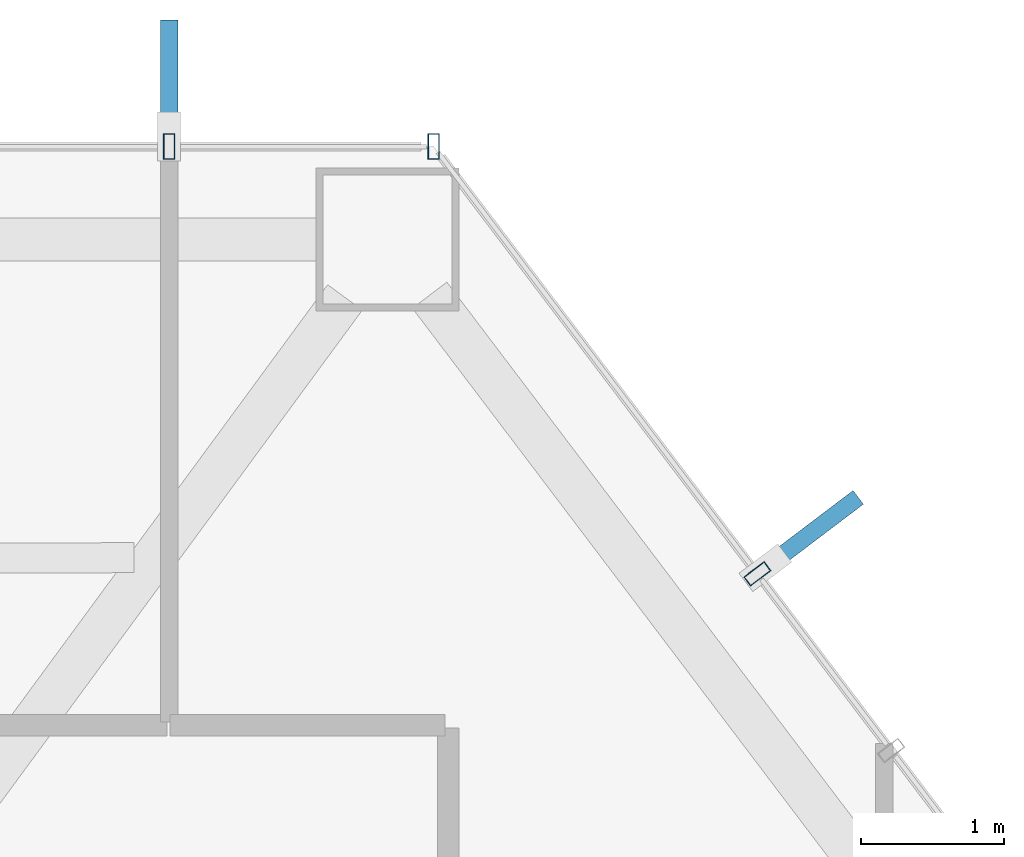
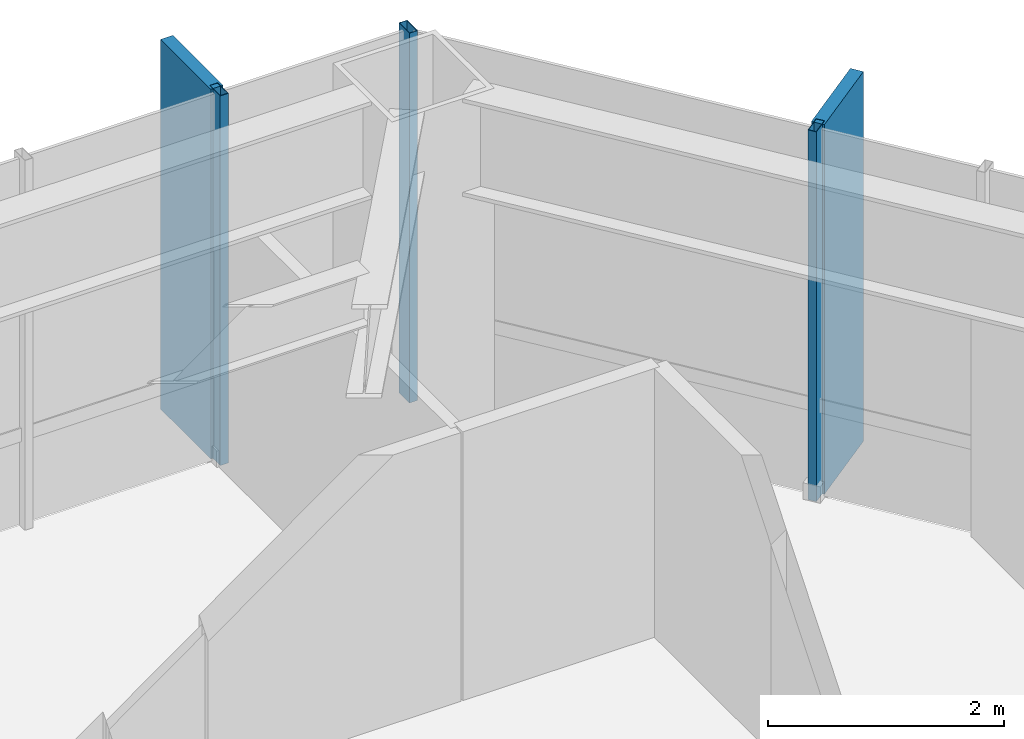
# One storey, part 20 of 25: 5 members, 2 elements without a shape of their own.
"""IFC4 building model written with IfcOpenShell, lengths in metres."""

import ifcopenshell
import ifcopenshell.guid

model = None  # the IFC model being written
_history = None  # IfcOwnerHistory: only IFC2X3 demands one
_inside = {}  # id of a spatial element -> (the spatial element, [elements in it])
_under = {}  # id of a project, library or spatial element -> (it, [spatial elements below it])
_declared = {}  # id of a project -> (the project, [libraries it declares])
_typed = {}  # id of a type object -> (the type object, [elements of that type])
_made_of = {}  # id of a material, layer set ... -> (it, [elements and type objects made of it])


def new_model(schema):
    """Start an empty IFC model of exactly this schema.

    Asked for "IFC4X3", IfcOpenShell would pick the latest addendum, in which some entities
    have other attributes; the version numbers below select the first issue.
    IFC2X3 requires an IfcOwnerHistory on every rooted entity: one is made here for all.
    """
    global model, _history
    if schema == "IFC4X3":
        model = ifcopenshell.file(schema_version=(4, 3, 0, 0))
    else:
        model = ifcopenshell.file(schema=schema)
    _inside.clear()
    _under.clear()
    _declared.clear()
    _typed.clear()
    _made_of.clear()
    _history = None
    if model.schema == "IFC2X3":
        org = make("IfcOrganization", Name="unknown")
        user = make(
            "IfcPersonAndOrganization",
            ThePerson=make("IfcPerson", FamilyName="unknown"),
            TheOrganization=org,
        )
        app = make(
            "IfcApplication",
            ApplicationDeveloper=org,
            Version="unknown",
            ApplicationFullName="unknown",
            ApplicationIdentifier="unknown",
        )
        _history = make(
            "IfcOwnerHistory",
            OwningUser=user,
            OwningApplication=app,
            ChangeAction="ADDED",
            CreationDate=0,
        )
    return model


def make(cls, **values):
    """One entity of the class cls with the attributes given. An attribute that is None is left unset."""
    return model.create_entity(
        cls, **{name: value for name, value in values.items() if value is not None}
    )


def rooted(cls, **values):
    """An entity with a GlobalId (a new one), such as an element, a storey or a relation."""
    return make(cls, GlobalId=ifcopenshell.guid.new(), OwnerHistory=_history, **values)


def si_unit(unit_type, name, prefix=None):
    """IfcSIUnit, for example si_unit("LENGTHUNIT", "METRE", prefix="MILLI")."""
    return make("IfcSIUnit", UnitType=unit_type, Prefix=prefix, Name=name)


def assignment(units):
    """IfcUnitAssignment: the units of a project."""
    return None if units is None else make("IfcUnitAssignment", Units=units)


def point(xyz):
    """IfcCartesianPoint."""
    return None if xyz is None else make("IfcCartesianPoint", Coordinates=xyz)


def direction(xyz):
    """IfcDirection."""
    return None if xyz is None else make("IfcDirection", DirectionRatios=xyz)


def frame(location, z_axis=None, x_axis=None):
    """IfcAxis2Placement3D, a coordinate frame: its origin and axes. An axis left out is left unset."""
    return make(
        "IfcAxis2Placement3D",
        Location=point(location),
        Axis=direction(z_axis),
        RefDirection=direction(x_axis),
    )


def frame_2d(location, x_axis=None):
    """IfcAxis2Placement2D, a coordinate frame in the plane: its origin and x axis."""
    return make(
        "IfcAxis2Placement2D", Location=point(location), RefDirection=direction(x_axis)
    )


def origin():
    """The frame at (0, 0, 0) with its axes left unset."""
    return frame((0.0, 0.0, 0.0))


def origin_2d():
    """The frame at (0, 0) in the plane with its x axis left unset."""
    return frame_2d((0.0, 0.0))


def place(relative_to, where):
    """IfcLocalPlacement: puts the frame where relative to a parent placement (None: the world)."""
    return make(
        "IfcLocalPlacement", PlacementRelTo=relative_to, RelativePlacement=where
    )


def context(
    kind, dimensions, precision=None, world=None, true_north=None, identifier=None
):
    """IfcGeometricRepresentationContext, for example the 3D "Model" context."""
    return make(
        "IfcGeometricRepresentationContext",
        ContextIdentifier=identifier,
        ContextType=kind,
        CoordinateSpaceDimension=dimensions,
        Precision=precision,
        WorldCoordinateSystem=world,
        TrueNorth=true_north,
    )


def subcontext(parent, identifier, kind, view, scale=None):
    """IfcGeometricRepresentationSubContext, for example "Body" below "Model"."""
    return make(
        "IfcGeometricRepresentationSubContext",
        ContextIdentifier=identifier,
        ContextType=kind,
        ParentContext=parent,
        TargetScale=scale,
        TargetView=view,
    )


def project(units=None, contexts=None):
    """IfcProject with its units and contexts."""
    return rooted(
        "IfcProject",
        Name="project",
        RepresentationContexts=contexts,
        UnitsInContext=assignment(units),
    )


def spatial(cls, under=None, at=None, **own):
    """A site, building, storey or space (cls), placed at a placement, below another one or the project."""
    s = rooted(cls, ObjectPlacement=at, **own)
    if under is not None:
        _under.setdefault(under.id(), (under, []))[1].append(s)
    return s


def profile(cls, at=None, kind="AREA", **sizes):
    """A parametric profile (cls). Its sizes go by their IFC names, for example OverallWidth=200.0."""
    return make(cls, ProfileType=kind, Position=at, **sizes)


def rectangle(**sizes):
    """IfcRectangleProfileDef."""
    return profile("IfcRectangleProfileDef", **sizes)


def hollow_rectangle(**sizes):
    """IfcRectangleHollowProfileDef."""
    return profile("IfcRectangleHollowProfileDef", **sizes)


def extrude(swept, where, along, depth):
    """IfcExtrudedAreaSolid: the profile swept, set in the frame where, extruded along a direction by depth."""
    return make(
        "IfcExtrudedAreaSolid",
        SweptArea=swept,
        Position=where,
        ExtrudedDirection=direction(along),
        Depth=depth,
    )


def shape(context_of_items, identifier, shape_type, items):
    """IfcShapeRepresentation: the items that make up one representation, for example the "Body"."""
    return make(
        "IfcShapeRepresentation",
        ContextOfItems=context_of_items,
        RepresentationIdentifier=identifier,
        RepresentationType=shape_type,
        Items=items,
    )


def material(Name=None, Category=None):
    """IfcMaterial."""
    return make("IfcMaterial", Name=Name, Category=Category)


def layer(
    of_material, thickness, ventilated=None, Name=None, Category=None, Priority=None
):
    """IfcMaterialLayer: one layer of a wall or slab, of a material (None: an air gap)."""
    return make(
        "IfcMaterialLayer",
        Material=of_material,
        LayerThickness=thickness,
        IsVentilated=ventilated,
        Name=Name,
        Category=Category,
        Priority=Priority,
    )


def layer_set(layers, Name=None):
    """IfcMaterialLayerSet."""
    return make("IfcMaterialLayerSet", MaterialLayers=layers, LayerSetName=Name)


def material_profile(
    of_material, cross_section, Name=None, Category=None, Priority=None
):
    """IfcMaterialProfile: a cross section and its material."""
    return make(
        "IfcMaterialProfile",
        Name=Name,
        Material=of_material,
        Profile=cross_section,
        Priority=Priority,
        Category=Category,
    )


def profile_set(profiles, Name=None, composite=None):
    """IfcMaterialProfileSet."""
    return make(
        "IfcMaterialProfileSet",
        Name=Name,
        MaterialProfiles=profiles,
        CompositeProfile=composite,
    )


def made_of(thing, what):
    """Note that an element or type object is made of a material, layer set ...; save() writes the relation."""
    if what is not None:
        _made_of.setdefault(what.id(), (what, []))[1].append(thing)
    return thing


def type_object(cls, material=None, **own):
    """A type object (cls), such as IfcWallType, which elements share."""
    return made_of(rooted(cls, **own), material)


def element(
    cls,
    number,
    at=None,
    inside=None,
    cuts=None,
    type_object=None,
    material=None,
    context=None,
    identifier="Body",
    shape_type=None,
    held_by="IfcProductDefinitionShape",
    body=None,
    shapes=None,
    **own,
):
    """One element of the class cls, such as IfcWall. Its Tag is "e" and its number.

    at: its placement. inside: the storey or other place that contains it. cuts: it is an
    opening in that element (IfcRelVoidsElement). A single representation is given by context,
    identifier, shape_type and body (its items); several are given by shapes. held_by: the class
    of the entity that holds the representations. save() writes the other relations.
    """
    e = rooted(cls, Tag="e%d" % number, ObjectPlacement=at, **own)
    if body is not None:
        shapes = [shape(context, identifier, shape_type, body)]
    if shapes is not None:
        e.Representation = make(held_by, Representations=shapes)
    if inside is not None:
        _inside.setdefault(inside.id(), (inside, []))[1].append(e)
    if cuts is not None:
        rooted(
            "IfcRelVoidsElement", RelatingBuildingElement=cuts, RelatedOpeningElement=e
        )
    if type_object is not None:
        _typed.setdefault(type_object.id(), (type_object, []))[1].append(e)
    return made_of(e, material)


def aggregate(whole, parts):
    """IfcRelAggregates: a whole, such as a stair, and the parts it consists of."""
    return rooted("IfcRelAggregates", RelatingObject=whole, RelatedObjects=parts)


def save(model, path):
    """Write the relations noted so far, then the file.

    IfcRelAggregates (storeys below a building ...), IfcRelContainedInSpatialStructure (elements
    in a storey), IfcRelDefinesByType, IfcRelAssociatesMaterial and IfcRelDeclares: one each for
    every whole, place, type object, material and project.
    """
    for whole, parts in _under.values():
        aggregate(whole, parts)
    for where, things in _inside.values():
        rooted(
            "IfcRelContainedInSpatialStructure",
            RelatedElements=things,
            RelatingStructure=where,
        )
    for kind, things in _typed.values():
        rooted("IfcRelDefinesByType", RelatedObjects=things, RelatingType=kind)
    for what, things in _made_of.values():
        rooted("IfcRelAssociatesMaterial", RelatedObjects=things, RelatingMaterial=what)
    for by, libraries in _declared.values():
        rooted("IfcRelDeclares", RelatingContext=by, RelatedDefinitions=libraries)
    model.write(path)


model = new_model("IFC4")

# Units and contexts
model_context = context("Model", 3, precision=1e-05, world=origin(), true_north=direction((0.0, 1.0)))
body_context = subcontext(model_context, "Body", "Model", "MODEL_VIEW")
ifc_project = project(units=[si_unit("LENGTHUNIT", "METRE"), si_unit("AREAUNIT", "SQUARE_METRE"), si_unit("VOLUMEUNIT", "CUBIC_METRE"), si_unit("PLANEANGLEUNIT", "RADIAN"), si_unit("MASSUNIT", "GRAM", prefix="KILO")], contexts=[model_context])

# Site, building, storey
site_placement = place(None, origin())
site = spatial("IfcSite", under=ifc_project, at=site_placement, CompositionType="ELEMENT")
building_placement = place(site_placement, origin())
building = spatial("IfcBuilding", under=site, at=building_placement, Name="Zarrinselat Tower", CompositionType="ELEMENT")
storey_placement = place(building_placement, frame((0.0, 0.0, 43.860107421875)))
storey = spatial("IfcBuildingStorey", under=building, at=storey_placement, Name="L10", CompositionType="ELEMENT", Elevation=43.860107421875)

# Curtain wall, members
ifc_material_1 = material(Name="Extruded Aluminium Alloy EN AW-6063 T6", Category="aluminium")
ifc_layer = layer(ifc_material_1, 0.18505859375)
ifc_layer_set = layer_set([ifc_layer], Name="Extruded Aluminium Alloy EN AW-6063 T6")
curtain_wall_type = type_object("IfcCurtainWallType", Name="CWS-OFF", PredefinedType="NOTDEFINED", material=ifc_layer_set)
curtain_wall_1_placement = place(storey_placement, origin())
curtain_wall_1 = element("IfcCurtainWall", 1, at=curtain_wall_1_placement, inside=storey, type_object=curtain_wall_type, Name="L10 Unitised Curtain Wall CW-L10-E01", PredefinedType="NOTDEFINED")
ifc_material_2 = material(Name="Extruded Aluminium Alloy EN AW-6063 T6", Category="aluminium")
ifc_material_profile_1 = material_profile(ifc_material_2, hollow_rectangle(XDim=0.080078125, YDim=0.179931640625, WallThickness=0.0048828125, at=origin_2d()), Name="RHS 180x80x5")
ifc_profile_set_1 = profile_set([ifc_material_profile_1], Name="Extruded Aluminium Alloy EN AW-6063 T6")
member_type_1 = type_object("IfcMemberType", Name="MEM-CW-MUL", PredefinedType="MULLION", material=ifc_profile_set_1)
member_1_placement = place(storey_placement, frame((50.349365234375, 50.04443359375, 0.0), z_axis=(0.0, 0.0, 1.0), x_axis=(-1.0, 0.0, 0.0)))
member_1 = element("IfcMember", 2, at=member_1_placement, type_object=member_type_1, Name="CW-L10-E01 Mullion 0", PredefinedType="MULLION", context=body_context, shape_type="SweptSolid", body=[
    extrude(hollow_rectangle(XDim=0.080078125, YDim=0.179931640625, WallThickness=0.0048828125, at=origin_2d()), origin(), (0.0, 0.0, 1.0), 3.81982421875),
])
member_2_placement = place(storey_placement, frame((48.5, 50.04443359375, 0.0), z_axis=(0.0, 0.0, 1.0), x_axis=(-1.0, 0.0, 0.0)))
member_2 = element("IfcMember", 3, at=member_2_placement, type_object=member_type_1, Name="CW-L10-E01 Mullion 1", PredefinedType="MULLION", context=body_context, shape_type="SweptSolid", body=[
    extrude(hollow_rectangle(XDim=0.080078125, YDim=0.179931640625, WallThickness=0.0048828125, at=origin_2d()), origin(), (0.0, 0.0, 1.0), 3.81982421875),
])

# Curtain wall, member
curtain_wall_2_placement = place(storey_placement, origin())
curtain_wall_2 = element("IfcCurtainWall", 4, at=curtain_wall_2_placement, inside=storey, type_object=curtain_wall_type, Name="L10 Unitised Curtain Wall CW-L10-E06", PredefinedType="NOTDEFINED")
member_3_placement = place(storey_placement, frame((52.612060546875, 47.0576171875, 0.0), z_axis=(0.0, 0.0, 1.0), x_axis=(-0.603858304597, 0.797091681031, 0.0)))
member_3 = element("IfcMember", 5, at=member_3_placement, type_object=member_type_1, Name="CW-L10-E06 Mullion 5", PredefinedType="MULLION", context=body_context, shape_type="SweptSolid", body=[
    extrude(hollow_rectangle(XDim=0.080078125, YDim=0.179931640625, WallThickness=0.0048828125, at=origin_2d()), origin(), (0.0, 0.0, 1.0), 3.81982421875),
])

# Member
ifc_material_3 = material(Name="Honed Cream Travertine Stone", Category="masonry")
ifc_material_profile_2 = material_profile(ifc_material_3, rectangle(XDim=0.1201171875, YDim=0.85009765625, at=origin_2d()), Name="FIN 850x120")
ifc_profile_set_2 = profile_set([ifc_material_profile_2], Name="Honed Cream Travertine Stone")
member_type_2 = type_object("IfcMemberType", Name="MEM-STONE-FIN", PredefinedType="USERDEFINED", material=ifc_profile_set_2)
member_4_placement = place(storey_placement, frame((48.5, 50.50439453125, 0.0), z_axis=(0.0, 0.0, 1.0), x_axis=(1.0, 0.0, 0.0)))
member_4 = element("IfcMember", 6, at=member_4_placement, type_object=member_type_2, Name="L10 Stone Shading Fin CW-L10-E01-01", ObjectType="FIN", PredefinedType="USERDEFINED", context=body_context, shape_type="SweptSolid", body=[
    extrude(rectangle(XDim=0.1201171875, YDim=0.85009765625, at=origin_2d()), origin(), (0.0, 0.0, 1.0), 3.81982421875),
])

aggregate(curtain_wall_1, [member_1, member_2, member_4])

member_5_placement = place(storey_placement, frame((52.978759765625, 47.33544921875, 0.0), z_axis=(0.0, 0.0, 1.0), x_axis=(0.603858304597, -0.797091681031, 0.0)))
member_5 = element("IfcMember", 7, at=member_5_placement, type_object=member_type_2, Name="L10 Stone Shading Fin CW-L10-E06-05", ObjectType="FIN", PredefinedType="USERDEFINED", context=body_context, shape_type="SweptSolid", body=[
    extrude(rectangle(XDim=0.1201171875, YDim=0.85009765625, at=origin_2d()), origin(), (0.0, 0.0, 1.0), 3.81982421875),
])

aggregate(curtain_wall_2, [member_3, member_5])

save(model, "model.ifc")
